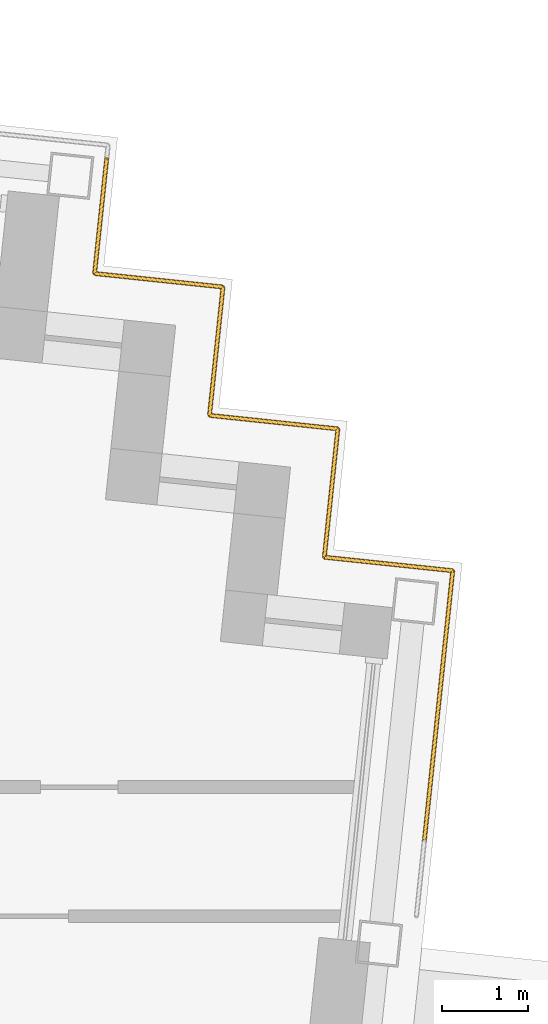
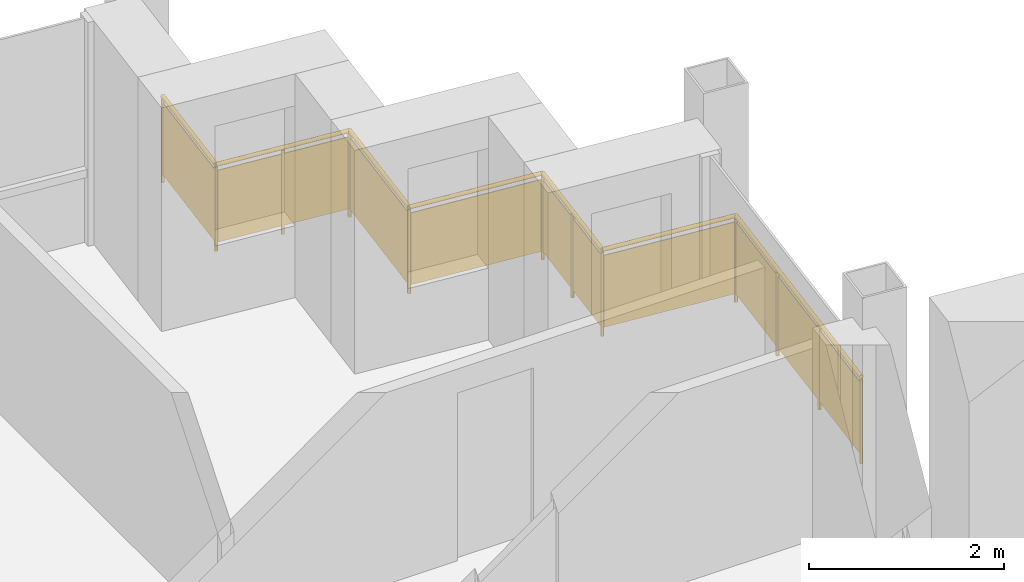
# One storey, part 16 of 16: 1 railing.
"""IFC4 building model written with IfcOpenShell, lengths in metres."""

from ifc_helpers import new_model, si_unit, direction, frame, origin, origin_2d, place, context, subcontext, project, spatial, rectangle, circle, extrude, material, type_object, element, save


model = new_model("IFC4")

# Units and contexts
model_context = context("Model", 3, precision=1e-05, world=origin(), true_north=direction((0.0, 1.0)))
body_context = subcontext(model_context, "Body", "Model", "MODEL_VIEW")
ifc_project = project(units=[si_unit("LENGTHUNIT", "METRE"), si_unit("AREAUNIT", "SQUARE_METRE"), si_unit("VOLUMEUNIT", "CUBIC_METRE"), si_unit("PLANEANGLEUNIT", "RADIAN"), si_unit("MASSUNIT", "GRAM", prefix="KILO")], contexts=[model_context])

# Site, building, storey
site_placement = place(None, origin())
site = spatial("IfcSite", under=ifc_project, at=site_placement, CompositionType="ELEMENT")
building_placement = place(site_placement, origin())
building = spatial("IfcBuilding", under=site, at=building_placement, Name="Vidyagriha Tower", CompositionType="ELEMENT")
storey_placement = place(building_placement, frame((0.0, 0.0, 278.699951171875)))
storey = spatial("IfcBuildingStorey", under=building, at=storey_placement, Name="L73", CompositionType="ELEMENT", Elevation=278.699951171875)

# Railing
ifc_material = material(Name="Steel ASTM A500 Grade C black painted", Category="steel")
railing_type = type_object("IfcRailingType", Name="Gallery guard 1100", PredefinedType="GUARDRAIL", material=ifc_material)
railing_placement = place(storey_placement, frame((29.24462890625, 18.54541015625, 0.0)))
element("IfcRailing", 1, at=railing_placement, inside=storey, type_object=railing_type, Name="Gallery guard L73 9", PredefinedType="GUARDRAIL", context=body_context, shape_type="SweptSolid", body=[
    extrude(circle(Radius=0.02490234375, at=origin_2d()), frame((0.0, 0.0, 1.0751953125), z_axis=(-0.104589933737, -0.994515432641, 0.0), x_axis=(0.994515432641, -0.104589933737, 0.0)), (0.0, 0.0, 1.0), 1.33984375),
    extrude(circle(Radius=0.02490234375, at=origin_2d()), frame((-0.14013671875, -1.33251953125, 1.0751953125), z_axis=(0.994509910675, -0.104642427191, 0.0), x_axis=(0.104642427191, 0.994509910675, 0.0)), (0.0, 0.0, 1.0), 1.500244140625),
    extrude(circle(Radius=0.02490234375, at=origin_2d()), frame((1.351806640625, -1.489501953125, 1.0751953125), z_axis=(-0.104498377516, -0.994525057048, 0.0), x_axis=(0.994525057048, -0.104498377516, 0.0)), (0.0, 0.0, 1.0), 1.5),
    extrude(circle(Radius=0.02490234375, at=origin_2d()), frame((1.195068359375, -2.981201171875, 1.0751953125), z_axis=(0.994525057048, -0.104498377516, 0.0), x_axis=(0.104498377516, 0.994525057048, 0.0)), (0.0, 0.0, 1.0), 1.5),
    extrude(circle(Radius=0.02490234375, at=origin_2d()), frame((2.686767578125, -3.137939453125, 1.0751953125), z_axis=(-0.104481464157, -0.994526834051, 0.0), x_axis=(0.994526834051, -0.104481464157, 0.0)), (0.0, 0.0, 1.0), 1.500244140625),
    extrude(circle(Radius=0.02490234375, at=origin_2d()), frame((2.530029296875, -4.6298828125, 1.0751953125), z_axis=(0.994525057048, -0.104498377516, 0.0), x_axis=(0.104498377516, 0.994525057048, 0.0)), (0.0, 0.0, 1.0), 1.5),
    extrude(circle(Radius=0.02490234375, at=origin_2d()), frame((4.021728515625, -4.78662109375, 1.0751953125), z_axis=(-0.104527942092, -0.994521950146, 0.0), x_axis=(0.994521950146, -0.104527942092, 0.0)), (0.0, 0.0, 1.0), 3.16015625),
    extrude(circle(Radius=0.02001953125, at=origin_2d()), origin(), (0.0, 0.0, 1.0), 1.050048828125),
    extrude(circle(Radius=0.02001953125, at=origin_2d()), frame((-0.14013671875, -1.33251953125, 0.0)), (0.0, 0.0, 1.0), 1.050048828125),
    extrude(circle(Radius=0.02001953125, at=origin_2d()), frame((0.60595703125, -1.4111328125, 0.0)), (0.0, 0.0, 1.0), 1.050048828125),
    extrude(circle(Radius=0.02001953125, at=origin_2d()), frame((1.351806640625, -1.489501953125, 0.0)), (0.0, 0.0, 1.0), 1.050048828125),
    extrude(circle(Radius=0.02001953125, at=origin_2d()), frame((1.195068359375, -2.981201171875, 0.0)), (0.0, 0.0, 1.0), 1.050048828125),
    extrude(circle(Radius=0.02001953125, at=origin_2d()), frame((2.686767578125, -3.137939453125, 0.0)), (0.0, 0.0, 1.0), 1.050048828125),
    extrude(circle(Radius=0.02001953125, at=origin_2d()), frame((2.6083984375, -3.8837890625, 0.0)), (0.0, 0.0, 1.0), 1.050048828125),
    extrude(circle(Radius=0.02001953125, at=origin_2d()), frame((2.530029296875, -4.6298828125, 0.0)), (0.0, 0.0, 1.0), 1.050048828125),
    extrude(circle(Radius=0.02001953125, at=origin_2d()), frame((4.021728515625, -4.78662109375, 0.0)), (0.0, 0.0, 1.0), 1.050048828125),
    extrude(circle(Radius=0.02001953125, at=origin_2d()), frame((3.91162109375, -5.834228515625, 0.0)), (0.0, 0.0, 1.0), 1.050048828125),
    extrude(circle(Radius=0.02001953125, at=origin_2d()), frame((3.801513671875, -6.8818359375, 0.0)), (0.0, 0.0, 1.0), 1.050048828125),
    extrude(circle(Radius=0.02001953125, at=origin_2d()), frame((3.69140625, -7.929443359375, 0.0)), (0.0, 0.0, 1.0), 1.050048828125),
    extrude(rectangle(XDim=0.010009765625, YDim=0.900146484375, at=origin_2d()), frame((0.0, 0.0, 0.550048828125), z_axis=(-0.104589933737, -0.994515432641, 0.0), x_axis=(0.994515432641, -0.104589933737, 0.0)), (0.0, 0.0, 1.0), 1.33984375),
    extrude(rectangle(XDim=0.010009765625, YDim=0.900146484375, at=origin_2d()), frame((-0.14013671875, -1.33251953125, 0.550048828125), z_axis=(0.994509910675, -0.104642427191, 0.0), x_axis=(0.104642427191, 0.994509910675, 0.0)), (0.0, 0.0, 1.0), 1.500244140625),
    extrude(rectangle(XDim=0.010009765625, YDim=0.900146484375, at=origin_2d()), frame((1.351806640625, -1.489501953125, 0.550048828125), z_axis=(-0.104498377516, -0.994525057048, 0.0), x_axis=(0.994525057048, -0.104498377516, 0.0)), (0.0, 0.0, 1.0), 1.5),
    extrude(rectangle(XDim=0.010009765625, YDim=0.900146484375, at=origin_2d()), frame((1.195068359375, -2.981201171875, 0.550048828125), z_axis=(0.994525057048, -0.104498377516, 0.0), x_axis=(0.104498377516, 0.994525057048, 0.0)), (0.0, 0.0, 1.0), 1.5),
    extrude(rectangle(XDim=0.010009765625, YDim=0.900146484375, at=origin_2d()), frame((2.686767578125, -3.137939453125, 0.550048828125), z_axis=(-0.104481464157, -0.994526834051, 0.0), x_axis=(0.994526834051, -0.104481464157, 0.0)), (0.0, 0.0, 1.0), 1.500244140625),
    extrude(rectangle(XDim=0.010009765625, YDim=0.900146484375, at=origin_2d()), frame((2.530029296875, -4.6298828125, 0.550048828125), z_axis=(0.994525057048, -0.104498377516, 0.0), x_axis=(0.104498377516, 0.994525057048, 0.0)), (0.0, 0.0, 1.0), 1.5),
    extrude(rectangle(XDim=0.010009765625, YDim=0.900146484375, at=origin_2d()), frame((4.021728515625, -4.78662109375, 0.550048828125), z_axis=(-0.104527942092, -0.994521950146, 0.0), x_axis=(0.994521950146, -0.104527942092, 0.0)), (0.0, 0.0, 1.0), 3.16015625),
])

save(model, "model.ifc")
